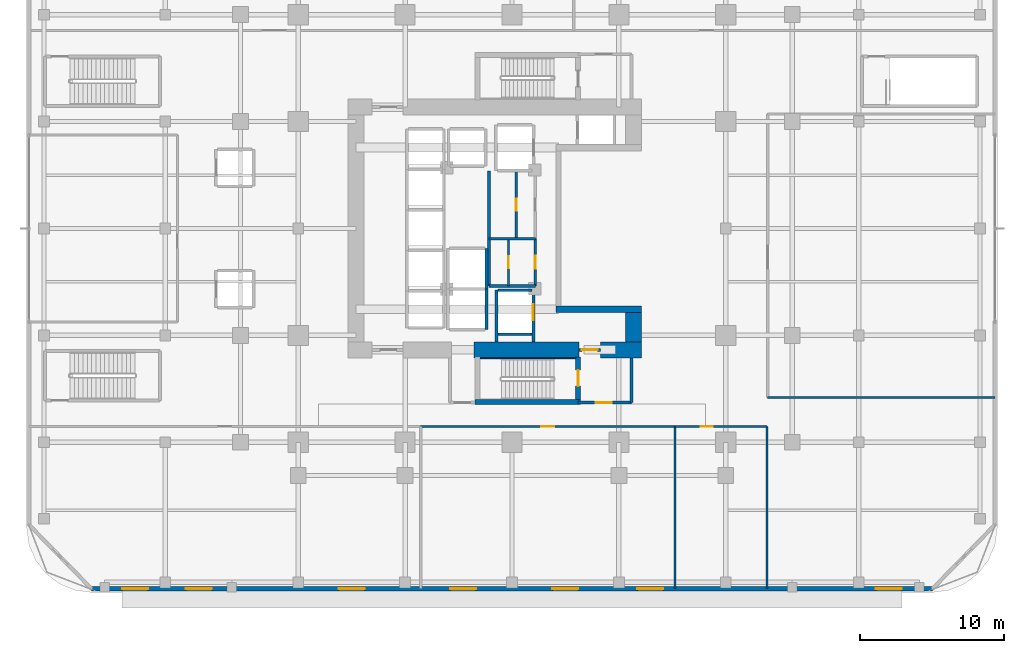
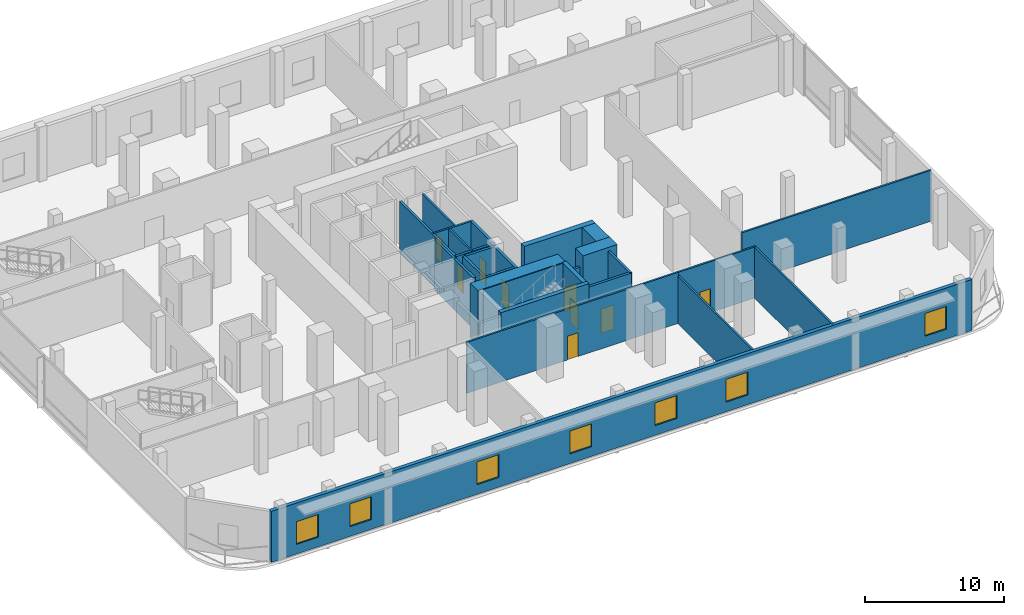
# One storey, part 9 of 19: 28 walls, 9 doors, 7 windows, 16 openings.
"""IFC4 building model written with IfcOpenShell, lengths in metres."""

from ifc_helpers import new_model, si_unit, direction, frame, frame_2d, origin, place, context, subcontext, project, spatial, rectangle, extrude, material, layer, layer_set, type_object, element, fill, save


model = new_model("IFC4")

# Units and contexts
model_context = context("Model", 3, precision=1e-05, world=origin(), true_north=direction((0.0, 1.0)))
body_context = subcontext(model_context, "Body", "Model", "MODEL_VIEW")
ifc_project = project(units=[si_unit("LENGTHUNIT", "METRE"), si_unit("AREAUNIT", "SQUARE_METRE"), si_unit("VOLUMEUNIT", "CUBIC_METRE"), si_unit("PLANEANGLEUNIT", "RADIAN"), si_unit("MASSUNIT", "GRAM", prefix="KILO")], contexts=[model_context])

# Site, building, storey
site_placement = place(None, origin())
site = spatial("IfcSite", under=ifc_project, at=site_placement, CompositionType="ELEMENT")
building_placement = place(site_placement, origin())
building = spatial("IfcBuilding", under=site, at=building_placement, Name="Khorvyn Point Tower", CompositionType="ELEMENT")
storey_placement = place(building_placement, frame((0.0, 0.0, 21.60009765625)))
storey = spatial("IfcBuildingStorey", under=building, at=storey_placement, Name="L06", CompositionType="ELEMENT", Elevation=21.60009765625)

# Wall
ifc_material_1 = material(Name="Concrete C40/50", Category="concrete")
ifc_layer_1 = layer(ifc_material_1, 0.449951171875)
ifc_layer_set_1 = layer_set([ifc_layer_1], Name="Concrete C40/50 Core Shear Wall 450")
wall_type_1 = type_object("IfcWallType", Name="Concrete C40/50 Core Shear Wall 450", PredefinedType="SHEAR", material=ifc_layer_set_1)
wall_1_placement = place(storey_placement, frame((3.044921875, -5.60009765625, 0.0), z_axis=(0.0, 0.0, 1.0), x_axis=(1.0, 0.0, 0.0)))
element("IfcWall", 1, at=wall_1_placement, inside=storey, type_object=wall_type_1, Name="Wall", PredefinedType="SHEAR", context=body_context, shape_type="SweptSolid", body=[
    extrude(rectangle(XDim=5.905029296875, YDim=0.449951171875, at=frame_2d((2.95263671875, 0.0))), origin(), (0.0, 0.0, 1.0), 4.7998046875),
])

# Wall, opening, door
ifc_layer_2 = layer(ifc_material_1, 0.199951171875)
ifc_layer_set_2 = layer_set([ifc_layer_2], Name="Concrete C40/50 Fire-Lobby Compartment Wall 200")
wall_type_2 = type_object("IfcWallType", Name="Concrete C40/50 Fire-Lobby Compartment Wall 200", PredefinedType="SOLIDWALL", material=ifc_layer_set_2)
wall_2_placement = place(storey_placement, frame((4.580078125, -12.06005859375, 0.0), z_axis=(0.0, 0.0, 1.0), x_axis=(1.0, 0.0, 0.0)))
wall_2 = element("IfcWall", 2, at=wall_2_placement, inside=storey, type_object=wall_type_2, Name="Wall", PredefinedType="SOLIDWALL", context=body_context, shape_type="SweptSolid", body=[
    extrude(rectangle(XDim=3.699951171875, YDim=0.199951171875, at=frame_2d((1.85009765625, 0.0))), origin(), (0.0, 0.0, 1.0), 4.47998046875),
])
opening_1_placement = place(wall_2_placement, frame((1.21240234375, 0.0, 0.0)))
opening_1 = element("IfcOpeningElement", 3, at=opening_1_placement, cuts=wall_2, Name="Opening ID-FL90", PredefinedType="OPENING", context=body_context, shape_type="SweptSolid", body=[
    extrude(rectangle(XDim=1.10009765625, YDim=2.14990234375, at=frame_2d((0.550048828125, 1.074951171875))), frame((0.0, 0.10986328125, 0.0), z_axis=(0.0, -1.0, 0.0), x_axis=(1.0, 0.0, 0.0)), (0.0, 0.0, 1.0), 0.219970703125),
])
ifc_material_2 = material(Name="Galvanised powder-coated steel", Category="steel")
door_type_1 = type_object("IfcDoorType", Name="Fire-Rated Steel Lobby and Stair Door 1100x2150", OperationType="NOTDEFINED", PredefinedType="DOOR", material=ifc_material_2)
door_1_placement = place(opening_1_placement, origin())
door_1 = element("IfcDoor", 4, at=door_1_placement, inside=storey, type_object=door_type_1, Name="Door", OperationType="SINGLE_SWING_RIGHT", OverallHeight=2.14990234375, OverallWidth=1.10009765625, PredefinedType="DOOR", context=body_context, shape_type="SweptSolid", body=[
    extrude(rectangle(XDim=1.10009765625, YDim=2.14990234375, at=frame_2d((0.550048828125, 1.074951171875))), frame((0.0, 0.02490234375, 0.0), z_axis=(0.0, -1.0, 0.0), x_axis=(1.0, 0.0, 0.0)), (0.0, 0.0, 1.0), 0.050048828125),
])
fill(opening_1, door_1)

wall_3_placement = place(storey_placement, frame((4.64990234375, -8.39990234375, 0.0), z_axis=(0.0, 0.0, 1.0), x_axis=(1.0, 0.0, 0.0)))
wall_3 = element("IfcWall", 5, at=wall_3_placement, inside=storey, type_object=wall_type_2, Name="Wall", PredefinedType="SOLIDWALL", context=body_context, shape_type="SweptSolid", body=[
    extrude(rectangle(XDim=1.47021484375, YDim=0.199951171875, at=frame_2d((0.735107421875, 0.0))), origin(), (0.0, 0.0, 1.0), 3.52001953125),
])
opening_2_placement = place(wall_3_placement, frame((0.18505859375, 0.0, 0.0)))
opening_2 = element("IfcOpeningElement", 6, at=opening_2_placement, cuts=wall_3, Name="Opening ID-FL90", PredefinedType="OPENING", context=body_context, shape_type="SweptSolid", body=[
    extrude(rectangle(XDim=1.10009765625, YDim=2.14990234375, at=frame_2d((0.550048828125, 1.074951171875))), frame((0.0, 0.10986328125, 0.0), z_axis=(0.0, -1.0, 0.0), x_axis=(1.0, 0.0, 0.0)), (0.0, 0.0, 1.0), 0.219970703125),
])
door_2_placement = place(opening_2_placement, origin())
door_2 = element("IfcDoor", 7, at=door_2_placement, inside=storey, type_object=door_type_1, Name="Door", OperationType="SINGLE_SWING_LEFT", OverallHeight=2.14990234375, OverallWidth=1.10009765625, PredefinedType="DOOR", context=body_context, shape_type="SweptSolid", body=[
    extrude(rectangle(XDim=1.10009765625, YDim=2.14990234375, at=frame_2d((0.550048828125, 1.074951171875))), frame((0.0, 0.02490234375, 0.0), z_axis=(0.0, -1.0, 0.0), x_axis=(1.0, 0.0, 0.0)), (0.0, 0.0, 1.0), 0.050048828125),
])
fill(opening_2, door_2)

wall_4_placement = place(storey_placement, frame((1.610107421875, -3.97998046875, 0.0), z_axis=(0.0, 0.0, 1.0), x_axis=(0.0, 1.0, 0.0)))
wall_4 = element("IfcWall", 8, at=wall_4_placement, inside=storey, type_object=wall_type_2, Name="Wall", PredefinedType="SOLIDWALL", context=body_context, shape_type="SweptSolid", body=[
    extrude(rectangle(XDim=3.27392578125, YDim=0.199951171875, at=frame_2d((1.636962890625, 0.0))), origin(), (0.0, 0.0, 1.0), 4.47998046875),
])
opening_3_placement = place(wall_4_placement, frame((1.177001953125, 0.0, 0.0)))
opening_3 = element("IfcOpeningElement", 9, at=opening_3_placement, cuts=wall_4, Name="Opening ID-RS60", PredefinedType="OPENING", context=body_context, shape_type="SweptSolid", body=[
    extrude(rectangle(XDim=0.919921875, YDim=2.10009765625, at=frame_2d((0.4599609375, 1.050048828125))), frame((0.0, 0.10986328125, 0.0), z_axis=(0.0, -1.0, 0.0), x_axis=(1.0, 0.0, 0.0)), (0.0, 0.0, 1.0), 0.219970703125),
])
door_type_2 = type_object("IfcDoorType", Name="Fire-Rated Riser and Store Steel Door 920x2100", OperationType="NOTDEFINED", PredefinedType="DOOR", material=ifc_material_2)
door_3_placement = place(opening_3_placement, origin())
door_3 = element("IfcDoor", 10, at=door_3_placement, inside=storey, type_object=door_type_2, Name="Door", OperationType="SINGLE_SWING_RIGHT", OverallHeight=2.10009765625, OverallWidth=0.919921875, PredefinedType="DOOR", context=body_context, shape_type="SweptSolid", body=[
    extrude(rectangle(XDim=0.919921875, YDim=2.10009765625, at=frame_2d((0.4599609375, 1.050048828125))), frame((0.0, 0.02490234375, 0.0), z_axis=(0.0, -1.0, 0.0), x_axis=(1.0, 0.0, 0.0)), (0.0, 0.0, 1.0), 0.050048828125),
])
fill(opening_3, door_3)

# Walls
wall_5_placement = place(storey_placement, frame((8.280029296875, -12.06005859375, 0.0), z_axis=(0.0, 0.0, 1.0), x_axis=(0.0, 1.0, 0.0)))
element("IfcWall", 11, at=wall_5_placement, inside=storey, type_object=wall_type_2, Name="Wall", PredefinedType="SOLIDWALL", context=body_context, shape_type="SweptSolid", body=[
    extrude(rectangle(XDim=3.110107421875, YDim=0.199951171875, at=frame_2d((1.55517578125, 0.0))), origin(), (0.0, 0.0, 1.0), 4.47998046875),
])
wall_6_placement = place(storey_placement, frame((-1.580078125, -3.97998046875, 0.0), z_axis=(0.0, 0.0, 1.0), x_axis=(0.0, 1.0, 0.0)))
element("IfcWall", 12, at=wall_6_placement, inside=storey, type_object=wall_type_2, Name="Wall", PredefinedType="SOLIDWALL", context=body_context, shape_type="SweptSolid", body=[
    extrude(rectangle(XDim=7.9599609375, YDim=0.199951171875, at=frame_2d((3.97998046875, 0.0))), origin(), (0.0, 0.0, 1.0), 4.47998046875),
])
wall_7_placement = place(storey_placement, frame((-1.580078125, -3.97998046875, 0.0), z_axis=(0.0, 0.0, 1.0), x_axis=(1.0, 0.0, 0.0)))
element("IfcWall", 13, at=wall_7_placement, inside=storey, type_object=wall_type_2, Name="Wall", PredefinedType="SOLIDWALL", context=body_context, shape_type="SweptSolid", body=[
    extrude(rectangle(XDim=3.190185546875, YDim=0.199951171875, at=frame_2d((1.59521484375, 0.0))), origin(), (0.0, 0.0, 1.0), 4.47998046875),
])
ifc_layer_3 = layer(ifc_material_1, 0.25)
ifc_layer_set_3 = layer_set([ifc_layer_3], Name="Concrete C40/50 Stair Inner Cheek Structural Wall 250")
wall_type_3 = type_object("IfcWallType", Name="Concrete C40/50 Stair Inner Cheek Structural Wall 250", PredefinedType="SHEAR", material=ifc_layer_set_3)
wall_8_placement = place(storey_placement, frame((-2.199951171875, -8.987548828125, 0.0), z_axis=(0.0, 0.0, 1.0), x_axis=(1.0, 0.0, 0.0)))
element("IfcWall", 14, at=wall_8_placement, inside=storey, type_object=wall_type_3, Name="Wall", PredefinedType="SHEAR", context=body_context, shape_type="SweptSolid", body=[
    extrude(rectangle(XDim=6.599853515625, YDim=0.074951171875, at=frame_2d((3.2998046875, 0.0))), origin(), (0.0, 0.0, 1.0), 4.7998046875),
])
ifc_layer_4 = layer(ifc_material_1, 0.35009765625)
ifc_layer_set_4 = layer_set([ifc_layer_4], Name="Concrete C40/50 Stair Shaft Structural Wall 350")
wall_type_4 = type_object("IfcWallType", Name="Concrete C40/50 Stair Shaft Structural Wall 350", PredefinedType="SHEAR", material=ifc_layer_set_4)
wall_9_placement = place(storey_placement, frame((-2.554931640625, -12.0, 0.0), z_axis=(0.0, 0.0, 1.0), x_axis=(1.0, 0.0, 0.0)))
element("IfcWall", 15, at=wall_9_placement, inside=storey, type_object=wall_type_4, Name="L06 ST-01 South Shaft Wall", PredefinedType="SHEAR", context=body_context, shape_type="SweptSolid", body=[
    extrude(rectangle(XDim=7.309814453125, YDim=0.35009765625, at=frame_2d((3.65478515625, 0.0))), origin(), (0.0, 0.0, 1.0), 4.7998046875),
])

# Wall, opening, door
wall_10_placement = place(storey_placement, frame((4.580078125, -8.89990234375, 0.0), z_axis=(0.0, 0.0, 1.0), x_axis=(0.0, -1.0, 0.0)))
wall_10 = element("IfcWall", 16, at=wall_10_placement, inside=storey, type_object=wall_type_4, Name="L06 ST-01 East Landing Door Wall", PredefinedType="SHEAR", context=body_context, shape_type="SweptSolid", body=[
    extrude(rectangle(XDim=2.925048828125, YDim=0.35009765625, at=frame_2d((1.46240234375, 0.0))), origin(), (0.0, 0.0, 1.0), 4.7998046875),
])
opening_4_placement = place(wall_10_placement, frame((0.91259765625, 0.0, 0.0)))
opening_4 = element("IfcOpeningElement", 17, at=opening_4_placement, cuts=wall_10, Name="Opening ID-FL90", PredefinedType="OPENING", context=body_context, shape_type="SweptSolid", body=[
    extrude(rectangle(XDim=1.10009765625, YDim=2.14990234375, at=frame_2d((0.550048828125, 1.074951171875))), frame((0.0, 0.18505859375, 0.0), z_axis=(0.0, -1.0, 0.0), x_axis=(1.0, 0.0, 0.0)), (0.0, 0.0, 1.0), 0.3701171875),
])
door_4_placement = place(opening_4_placement, origin())
door_4 = element("IfcDoor", 18, at=door_4_placement, inside=storey, type_object=door_type_1, Name="L06 ST-01 Smokeproof Landing Door", OperationType="SINGLE_SWING_RIGHT", OverallHeight=2.14990234375, OverallWidth=1.10009765625, PredefinedType="DOOR", context=body_context, shape_type="SweptSolid", body=[
    extrude(rectangle(XDim=1.10009765625, YDim=2.14990234375, at=frame_2d((0.550048828125, 1.074951171875))), frame((0.0, 0.02490234375, 0.0), z_axis=(0.0, -1.0, 0.0), x_axis=(1.0, 0.0, 0.0)), (0.0, 0.0, 1.0), 0.050048828125),
])
fill(opening_4, door_4)

# Walls
ifc_layer_5 = layer(ifc_material_1, 0.199951171875)
ifc_layer_set_5 = layer_set([ifc_layer_5], Name="Concrete C40/50 Structural Hoistway and Stair Shaft Wall 200")
wall_type_5 = type_object("IfcWallType", Name="Concrete C40/50 Structural Hoistway and Stair Shaft Wall 200", PredefinedType="SHEAR", material=ifc_layer_set_5)
for number, where, z_axis, x_axis, name in (
    (19, (-1.77490234375, -7.0, 0.0), (0.0, 0.0, 1.0), (0.0, 1.0, 0.0), "Wall"),
    (20, (-1.77490234375, -4.199951171875, 0.0), (0.0, 0.0, 1.0), (0.0, 1.0, 0.0), "Wall"),
):
    element("IfcWall", number, at=place(storey_placement, frame(where, z_axis=z_axis, x_axis=x_axis)), inside=storey, type_object=wall_type_5, Name=name, PredefinedType="SHEAR", context=body_context, shape_type="SweptSolid", body=[
        extrude(rectangle(XDim=2.800048828125, YDim=0.199951171875, at=frame_2d((1.39990234375, 0.0))), origin(), (0.0, 0.0, 1.0), 4.47998046875),
    ])
wall_11_placement = place(storey_placement, frame((-1.074951171875, -7.85009765625, 0.0), z_axis=(0.0, 0.0, 1.0), x_axis=(0.0, 1.0, 0.0)))
element("IfcWall", 21, at=wall_11_placement, inside=storey, type_object=wall_type_5, Name="Wall", PredefinedType="SHEAR", context=body_context, shape_type="SweptSolid", body=[
    extrude(rectangle(XDim=3.5751953125, YDim=0.199951171875, at=frame_2d((1.78759765625, 0.0))), origin(), (0.0, 0.0, 1.0), 4.47998046875),
])

# Wall, opening, door
wall_12_placement = place(storey_placement, frame((1.47509765625, -7.85009765625, 0.0), z_axis=(0.0, 0.0, 1.0), x_axis=(0.0, 1.0, 0.0)))
wall_12 = element("IfcWall", 22, at=wall_12_placement, inside=storey, type_object=wall_type_5, Name="Wall", PredefinedType="SHEAR", context=body_context, shape_type="SweptSolid", body=[
    extrude(rectangle(XDim=3.5751953125, YDim=0.199951171875, at=frame_2d((1.78759765625, 0.0))), origin(), (0.0, 0.0, 1.0), 4.47998046875),
])
opening_5_placement = place(wall_12_placement, frame((1.5, 0.0, 0.0)))
opening_5 = element("IfcOpeningElement", 23, at=opening_5_placement, cuts=wall_12, Name="Opening LD-1122", PredefinedType="OPENING", context=body_context, shape_type="SweptSolid", body=[
    extrude(rectangle(XDim=1.10009765625, YDim=2.199951171875, at=frame_2d((0.550048828125, 1.10009765625))), frame((0.0, 0.10986328125, 0.0), z_axis=(0.0, -1.0, 0.0), x_axis=(1.0, 0.0, 0.0)), (0.0, 0.0, 1.0), 0.219970703125),
])
ifc_material_3 = material(Name="Stainless steel 1.4301", Category="steel")
door_type_3 = type_object("IfcDoorType", Name="Stainless Steel Automatic Sliding Lift Landing Door 1100x2200", OperationType="SLIDING_TO_LEFT", PredefinedType="DOOR", material=ifc_material_3)
door_5_placement = place(opening_5_placement, origin())
door_5 = element("IfcDoor", 24, at=door_5_placement, inside=storey, type_object=door_type_3, Name="L06 FF-01 Sliding Lift Landing Door", OperationType="SLIDING_TO_LEFT", OverallHeight=2.199951171875, OverallWidth=1.10009765625, PredefinedType="DOOR", context=body_context, shape_type="SweptSolid", body=[
    extrude(rectangle(XDim=1.10009765625, YDim=2.199951171875, at=frame_2d((0.550048828125, 1.10009765625))), frame((0.0, 0.02490234375, 0.0), z_axis=(0.0, -1.0, 0.0), x_axis=(1.0, 0.0, 0.0)), (0.0, 0.0, 1.0), 0.050048828125),
])
fill(opening_5, door_5)

# Walls
for number, where, z_axis, x_axis, name in (
    (25, (-0.97509765625, -7.324951171875, 0.0), (0.0, 0.0, 1.0), (1.0, 0.0, 0.0), "Wall"),
    (26, (-0.97509765625, -4.27490234375, 0.0), (0.0, 0.0, 1.0), (1.0, 0.0, 0.0), "Wall"),
):
    element("IfcWall", number, at=place(storey_placement, frame(where, z_axis=z_axis, x_axis=x_axis)), inside=storey, type_object=wall_type_5, Name=name, PredefinedType="SHEAR", context=body_context, shape_type="SweptSolid", body=[
        extrude(rectangle(XDim=2.35009765625, YDim=0.199951171875, at=frame_2d((1.175048828125, 0.0))), origin(), (0.0, 0.0, 1.0), 4.47998046875),
    ])
ifc_material_4 = material(Name="Concrete C50/60", Category="concrete")
ifc_layer_6 = layer(ifc_material_4, 1.10009765625)
ifc_layer_set_6 = layer_set([ifc_layer_6], Name="Concrete C50/60 Core Shear Wall 1100")
wall_type_6 = type_object("IfcWallType", Name="Concrete C50/60 Core Shear Wall 1100", PredefinedType="SHEAR", material=ifc_layer_set_6)
wall_13_placement = place(storey_placement, frame((-2.6201171875, -8.39990234375, 0.0), z_axis=(0.0, 0.0, 1.0), x_axis=(1.0, 0.0, 0.0)))
element("IfcWall", 27, at=wall_13_placement, inside=storey, type_object=wall_type_6, Name="Wall", PredefinedType="SHEAR", context=body_context, shape_type="SweptSolid", body=[
    extrude(rectangle(XDim=7.27001953125, YDim=1.10009765625, at=frame_2d((3.635009765625, 0.0))), origin(), (0.0, 0.0, 1.0), 4.7998046875),
])
wall_14_placement = place(storey_placement, frame((6.1201171875, -8.39990234375, 0.0), z_axis=(0.0, 0.0, 1.0), x_axis=(1.0, 0.0, 0.0)))
element("IfcWall", 28, at=wall_14_placement, inside=storey, type_object=wall_type_6, Name="Wall", PredefinedType="SHEAR", context=body_context, shape_type="SweptSolid", body=[
    extrude(rectangle(XDim=2.829833984375, YDim=1.10009765625, at=frame_2d((1.4150390625, 0.0))), origin(), (0.0, 0.0, 1.0), 4.7998046875),
])
wall_15_placement = place(storey_placement, frame((8.39990234375, -7.85009765625, 0.0), z_axis=(0.0, 0.0, 1.0), x_axis=(0.0, 1.0, 0.0)))
element("IfcWall", 29, at=wall_15_placement, inside=storey, type_object=wall_type_6, Name="Wall", PredefinedType="SHEAR", context=body_context, shape_type="SweptSolid", body=[
    extrude(rectangle(XDim=2.025146484375, YDim=1.10009765625, at=frame_2d((1.0126953125, 0.0))), origin(), (0.0, 0.0, 1.0), 4.7998046875),
])

# Wall, opening, door
ifc_material_5 = material(Name="Moisture-resistant gypsum and cement board", Category="gypsum")
ifc_layer_7 = layer(ifc_material_5, 0.14990234375)
ifc_layer_set_7 = layer_set([ifc_layer_7], Name="Moisture-Resistant Wet-Room Partition Wall 150")
wall_type_7 = type_object("IfcWallType", Name="Moisture-Resistant Wet-Room Partition Wall 150", PredefinedType="PARTITIONING", material=ifc_layer_set_7)
wall_16_placement = place(storey_placement, frame((-0.25, -3.97998046875, 0.0), z_axis=(0.0, 0.0, 1.0), x_axis=(0.0, 1.0, 0.0)))
wall_16 = element("IfcWall", 30, at=wall_16_placement, inside=storey, type_object=wall_type_7, Name="Wall", PredefinedType="PARTITIONING", context=body_context, shape_type="SweptSolid", body=[
    extrude(rectangle(XDim=3.27392578125, YDim=0.14990234375, at=frame_2d((1.636962890625, 0.0))), origin(), (0.0, 0.0, 1.0), 4.47998046875),
])
opening_6_placement = place(wall_16_placement, frame((1.2119140625, 0.0, 0.0)))
opening_6 = element("IfcOpeningElement", 31, at=opening_6_placement, cuts=wall_16, Name="Opening ID-WC85", PredefinedType="OPENING", context=body_context, shape_type="SweptSolid", body=[
    extrude(rectangle(XDim=0.85009765625, YDim=2.10009765625, at=frame_2d((0.425048828125, 1.050048828125))), frame((0.0, 0.0849609375, 0.0), z_axis=(0.0, -1.0, 0.0), x_axis=(1.0, 0.0, 0.0)), (0.0, 0.0, 1.0), 0.169921875),
])
ifc_material_6 = material(Name="High-pressure laminate on moisture-resistant core", Category="wood")
door_type_4 = type_object("IfcDoorType", Name="Moisture-Resistant Accessible Washroom Door 850x2100", OperationType="NOTDEFINED", PredefinedType="DOOR", material=ifc_material_6)
door_6_placement = place(opening_6_placement, origin())
door_6 = element("IfcDoor", 32, at=door_6_placement, inside=storey, type_object=door_type_4, Name="Door", OperationType="SINGLE_SWING_RIGHT", OverallHeight=2.10009765625, OverallWidth=0.85009765625, PredefinedType="DOOR", context=body_context, shape_type="SweptSolid", body=[
    extrude(rectangle(XDim=0.85009765625, YDim=2.10009765625, at=frame_2d((0.425048828125, 1.050048828125))), frame((0.0, 0.02490234375, 0.0), z_axis=(0.0, -1.0, 0.0), x_axis=(1.0, 0.0, 0.0)), (0.0, 0.0, 1.0), 0.050048828125),
])
fill(opening_6, door_6)

wall_17_placement = place(storey_placement, frame((0.2900390625, -0.7060546875, 0.0), z_axis=(0.0, 0.0, 1.0), x_axis=(0.0, 1.0, 0.0)))
wall_17 = element("IfcWall", 33, at=wall_17_placement, inside=storey, type_object=wall_type_7, Name="Wall", PredefinedType="PARTITIONING", context=body_context, shape_type="SweptSolid", body=[
    extrude(rectangle(XDim=4.68603515625, YDim=0.14990234375, at=frame_2d((2.343017578125, 0.0))), origin(), (0.0, 0.0, 1.0), 4.47998046875),
])
opening_7_placement = place(wall_17_placement, frame((1.91796875, 0.0, 0.0)))
opening_7 = element("IfcOpeningElement", 34, at=opening_7_placement, cuts=wall_17, Name="Opening ID-WC85", PredefinedType="OPENING", context=body_context, shape_type="SweptSolid", body=[
    extrude(rectangle(XDim=0.85009765625, YDim=2.10009765625, at=frame_2d((0.425048828125, 1.050048828125))), frame((0.0, 0.0849609375, 0.0), z_axis=(0.0, -1.0, 0.0), x_axis=(1.0, 0.0, 0.0)), (0.0, 0.0, 1.0), 0.169921875),
])
door_7_placement = place(opening_7_placement, origin())
door_7 = element("IfcDoor", 35, at=door_7_placement, inside=storey, type_object=door_type_4, Name="Door", OperationType="SINGLE_SWING_LEFT", OverallHeight=2.10009765625, OverallWidth=0.85009765625, PredefinedType="DOOR", context=body_context, shape_type="SweptSolid", body=[
    extrude(rectangle(XDim=0.85009765625, YDim=2.10009765625, at=frame_2d((0.425048828125, 1.050048828125))), frame((0.0, 0.02490234375, 0.0), z_axis=(0.0, -1.0, 0.0), x_axis=(1.0, 0.0, 0.0)), (0.0, 0.0, 1.0), 0.050048828125),
])
fill(opening_7, door_7)

wall_18_placement = place(storey_placement, frame((-6.320068359375, -13.699951171875, 0.0), z_axis=(0.0, 0.0, 1.0), x_axis=(1.0, 0.0, 0.0)))
wall_18 = element("IfcWall", 36, at=wall_18_placement, inside=storey, type_object=wall_type_7, Name="Wall", PredefinedType="PARTITIONING", context=body_context, shape_type="SweptSolid", body=[
    extrude(rectangle(XDim=17.60009765625, YDim=0.14990234375, at=frame_2d((8.800048828125, 0.0))), origin(), (0.0, 0.0, 1.0), 4.47998046875),
])
opening_8_placement = place(wall_18_placement, frame((8.35009765625, 0.0, 0.0)))
opening_8 = element("IfcOpeningElement", 37, at=opening_8_placement, cuts=wall_18, Name="Opening ID-RM90", PredefinedType="OPENING", context=body_context, shape_type="SweptSolid", body=[
    extrude(rectangle(XDim=0.89990234375, YDim=2.10009765625, at=frame_2d((0.449951171875, 1.050048828125))), frame((0.0, 0.0849609375, 0.0), z_axis=(0.0, -1.0, 0.0), x_axis=(1.0, 0.0, 0.0)), (0.0, 0.0, 1.0), 0.169921875),
])
ifc_material_7 = material(Name="Engineered oak veneer timber", Category="wood")
door_type_5 = type_object("IfcDoorType", Name="Flush Engineered Timber Room Door 900x2100", OperationType="NOTDEFINED", PredefinedType="DOOR", material=ifc_material_7)
door_8_placement = place(opening_8_placement, origin())
door_8 = element("IfcDoor", 38, at=door_8_placement, inside=storey, type_object=door_type_5, Name="Door", OperationType="SINGLE_SWING_LEFT", OverallHeight=2.10009765625, OverallWidth=0.89990234375, PredefinedType="DOOR", context=body_context, shape_type="SweptSolid", body=[
    extrude(rectangle(XDim=0.89990234375, YDim=2.10009765625, at=frame_2d((0.449951171875, 1.050048828125))), frame((0.0, 0.02490234375, 0.0), z_axis=(0.0, -1.0, 0.0), x_axis=(1.0, 0.0, 0.0)), (0.0, 0.0, 1.0), 0.050048828125),
])
fill(opening_8, door_8)

wall_19_placement = place(storey_placement, frame((11.280029296875, -13.699951171875, 0.0), z_axis=(0.0, 0.0, 1.0), x_axis=(1.0, 0.0, 0.0)))
wall_19 = element("IfcWall", 39, at=wall_19_placement, inside=storey, type_object=wall_type_7, Name="Wall", PredefinedType="PARTITIONING", context=body_context, shape_type="SweptSolid", body=[
    extrude(rectangle(XDim=6.369873046875, YDim=0.14990234375, at=frame_2d((3.18505859375, 0.0))), origin(), (0.0, 0.0, 1.0), 4.47998046875),
])
opening_9_placement = place(wall_19_placement, frame((1.773681640625, 0.0, 0.0)))
opening_9 = element("IfcOpeningElement", 40, at=opening_9_placement, cuts=wall_19, Name="Opening ID-WC85", PredefinedType="OPENING", context=body_context, shape_type="SweptSolid", body=[
    extrude(rectangle(XDim=0.85009765625, YDim=2.10009765625, at=frame_2d((0.425048828125, 1.050048828125))), frame((0.0, 0.0849609375, 0.0), z_axis=(0.0, -1.0, 0.0), x_axis=(1.0, 0.0, 0.0)), (0.0, 0.0, 1.0), 0.169921875),
])
door_9_placement = place(opening_9_placement, origin())
door_9 = element("IfcDoor", 41, at=door_9_placement, inside=storey, type_object=door_type_4, Name="Door", OperationType="SINGLE_SWING_RIGHT", OverallHeight=2.10009765625, OverallWidth=0.85009765625, PredefinedType="DOOR", context=body_context, shape_type="SweptSolid", body=[
    extrude(rectangle(XDim=0.85009765625, YDim=2.10009765625, at=frame_2d((0.425048828125, 1.050048828125))), frame((0.0, 0.02490234375, 0.0), z_axis=(0.0, -1.0, 0.0), x_axis=(1.0, 0.0, 0.0)), (0.0, 0.0, 1.0), 0.050048828125),
])
fill(opening_9, door_9)

# Walls
wall_20_placement = place(storey_placement, frame((-1.580078125, -0.7060546875, 0.0), z_axis=(0.0, 0.0, 1.0), x_axis=(1.0, 0.0, 0.0)))
element("IfcWall", 42, at=wall_20_placement, inside=storey, type_object=wall_type_7, Name="Wall", PredefinedType="PARTITIONING", context=body_context, shape_type="SweptSolid", body=[
    extrude(rectangle(XDim=3.190185546875, YDim=0.14990234375, at=frame_2d((1.59521484375, 0.0))), origin(), (0.0, 0.0, 1.0), 4.47998046875),
])
wall_21_placement = place(storey_placement, frame((17.699951171875, -11.699951171875, 0.0), z_axis=(0.0, 0.0, 1.0), x_axis=(1.0, 0.0, 0.0)))
element("IfcWall", 43, at=wall_21_placement, inside=storey, type_object=wall_type_7, Name="Wall", PredefinedType="PARTITIONING", context=body_context, shape_type="SweptSolid", body=[
    extrude(rectangle(XDim=15.719970703125, YDim=0.14990234375, at=frame_2d((7.85986328125, 0.0))), origin(), (0.0, 0.0, 1.0), 4.47998046875),
])
wall_22_placement = place(storey_placement, frame((11.280029296875, -24.919921875, 0.0), z_axis=(0.0, 0.0, 1.0), x_axis=(0.0, 1.0, 0.0)))
element("IfcWall", 44, at=wall_22_placement, inside=storey, type_object=wall_type_7, Name="Wall", PredefinedType="PARTITIONING", context=body_context, shape_type="SweptSolid", body=[
    extrude(rectangle(XDim=11.219970703125, YDim=0.14990234375, at=frame_2d((5.60986328125, 0.0))), origin(), (0.0, 0.0, 1.0), 4.169921875),
])
wall_23_placement = place(storey_placement, frame((17.64990234375, -24.919921875, 0.0), z_axis=(0.0, 0.0, 1.0), x_axis=(0.0, 1.0, 0.0)))
element("IfcWall", 45, at=wall_23_placement, inside=storey, type_object=wall_type_7, Name="Wall", PredefinedType="PARTITIONING", context=body_context, shape_type="SweptSolid", body=[
    extrude(rectangle(XDim=11.219970703125, YDim=0.14990234375, at=frame_2d((5.60986328125, 0.0))), origin(), (0.0, 0.0, 1.0), 4.47998046875),
])

# Wall, openings, windows
ifc_material_8 = material(Name="Precast concrete C35/45", Category="concrete")
ifc_layer_8 = layer(ifc_material_8, 0.300048828125)
ifc_layer_set_8 = layer_set([ifc_layer_8], Name="Precast Concrete C35/45 Insulated Podium Facade Wall 300")
wall_type_8 = type_object("IfcWallType", Name="Precast Concrete C35/45 Insulated Podium Facade Wall 300", PredefinedType="SOLIDWALL", material=ifc_layer_set_8)
wall_24_placement = place(storey_placement, frame((29.10009765625, -24.949951171875, 0.0), z_axis=(0.0, 0.0, 1.0), x_axis=(-1.0, 0.0, 0.0)))
wall_24 = element("IfcWall", 46, at=wall_24_placement, inside=storey, type_object=wall_type_8, Name="L06 South Podium Facade Wall", PredefinedType="SOLIDWALL", context=body_context, shape_type="SweptSolid", body=[
    extrude(rectangle(XDim=58.2001953125, YDim=0.300048828125, at=frame_2d((29.10009765625, 0.0))), origin(), (0.0, 0.0, 1.0), 4.47998046875),
])
opening_10_placement = place(wall_24_placement, frame((54.287109375, 0.0, 0.85009765625)))
opening_10 = element("IfcOpeningElement", 47, at=opening_10_placement, cuts=wall_24, Name="Opening WN-1820", PredefinedType="OPENING", context=body_context, shape_type="SweptSolid", body=[
    extrude(rectangle(XDim=1.800048828125, YDim=2.0, at=frame_2d((0.89990234375, 1.0))), frame((0.0, 0.159912109375, 0.0), z_axis=(0.0, -1.0, 0.0), x_axis=(1.0, 0.0, 0.0)), (0.0, 0.0, 1.0), 0.320068359375),
])
opening_11_placement = place(wall_24_placement, frame((49.875, 0.0, 0.85009765625)))
opening_11 = element("IfcOpeningElement", 48, at=opening_11_placement, cuts=wall_24, Name="Opening WN-1820", PredefinedType="OPENING", context=body_context, shape_type="SweptSolid", body=[
    extrude(rectangle(XDim=1.800048828125, YDim=2.0, at=frame_2d((0.89990234375, 1.0))), frame((0.0, 0.159912109375, 0.0), z_axis=(0.0, -1.0, 0.0), x_axis=(1.0, 0.0, 0.0)), (0.0, 0.0, 1.0), 0.320068359375),
])
opening_12_placement = place(wall_24_placement, frame((39.300048828125, 0.0, 0.85009765625)))
opening_12 = element("IfcOpeningElement", 49, at=opening_12_placement, cuts=wall_24, Name="Opening WN-1820", PredefinedType="OPENING", context=body_context, shape_type="SweptSolid", body=[
    extrude(rectangle(XDim=1.800048828125, YDim=2.0, at=frame_2d((0.89990234375, 1.0))), frame((0.0, 0.159912109375, 0.0), z_axis=(0.0, -1.0, 0.0), x_axis=(1.0, 0.0, 0.0)), (0.0, 0.0, 1.0), 0.320068359375),
])
opening_13_placement = place(wall_24_placement, frame((31.5849609375, 0.0, 0.85009765625)))
opening_13 = element("IfcOpeningElement", 50, at=opening_13_placement, cuts=wall_24, Name="Opening WN-1820", PredefinedType="OPENING", context=body_context, shape_type="SweptSolid", body=[
    extrude(rectangle(XDim=1.800048828125, YDim=2.0, at=frame_2d((0.89990234375, 1.0))), frame((0.0, 0.159912109375, 0.0), z_axis=(0.0, -1.0, 0.0), x_axis=(1.0, 0.0, 0.0)), (0.0, 0.0, 1.0), 0.320068359375),
])
opening_14_placement = place(wall_24_placement, frame((24.511962890625, 0.0, 0.85009765625)))
opening_14 = element("IfcOpeningElement", 51, at=opening_14_placement, cuts=wall_24, Name="Opening WN-1820", PredefinedType="OPENING", context=body_context, shape_type="SweptSolid", body=[
    extrude(rectangle(XDim=1.800048828125, YDim=2.0, at=frame_2d((0.89990234375, 1.0))), frame((0.0, 0.159912109375, 0.0), z_axis=(0.0, -1.0, 0.0), x_axis=(1.0, 0.0, 0.0)), (0.0, 0.0, 1.0), 0.320068359375),
])
opening_15_placement = place(wall_24_placement, frame((18.6220703125, 0.0, 0.85009765625)))
opening_15 = element("IfcOpeningElement", 52, at=opening_15_placement, cuts=wall_24, Name="Opening WN-1820", PredefinedType="OPENING", context=body_context, shape_type="SweptSolid", body=[
    extrude(rectangle(XDim=1.800048828125, YDim=2.0, at=frame_2d((0.89990234375, 1.0))), frame((0.0, 0.159912109375, 0.0), z_axis=(0.0, -1.0, 0.0), x_axis=(1.0, 0.0, 0.0)), (0.0, 0.0, 1.0), 0.320068359375),
])
opening_16_placement = place(wall_24_placement, frame((2.113037109375, 0.0, 0.85009765625)))
opening_16 = element("IfcOpeningElement", 53, at=opening_16_placement, cuts=wall_24, Name="Opening WN-1820", PredefinedType="OPENING", context=body_context, shape_type="SweptSolid", body=[
    extrude(rectangle(XDim=1.800048828125, YDim=2.0, at=frame_2d((0.89990234375, 1.0))), frame((0.0, 0.159912109375, 0.0), z_axis=(0.0, -1.0, 0.0), x_axis=(1.0, 0.0, 0.0)), (0.0, 0.0, 1.0), 0.320068359375),
])
ifc_material_9 = material(Name="Anodised aluminium 6063-T6 and laminated Low-E glass", Category="aluminium")
window_type = type_object("IfcWindowType", Name="Anodised Aluminium Podium Office Operable Window 1800x2000", PartitioningType="DOUBLE_PANEL_VERTICAL", PredefinedType="WINDOW", material=ifc_material_9)
window_1_placement = place(opening_10_placement, origin())
window_1 = element("IfcWindow", 54, at=window_1_placement, inside=storey, type_object=window_type, Name="L06 South Podium Daylight Window S1", OverallHeight=2.0, OverallWidth=1.800048828125, PartitioningType="SINGLE_PANEL", PredefinedType="WINDOW", context=body_context, shape_type="SweptSolid", body=[
    extrude(rectangle(XDim=1.800048828125, YDim=2.0, at=frame_2d((0.89990234375, 1.0))), frame((0.0, 0.030029296875, 0.0), z_axis=(0.0, -1.0, 0.0), x_axis=(1.0, 0.0, 0.0)), (0.0, 0.0, 1.0), 0.06005859375),
])
fill(opening_10, window_1)
window_2_placement = place(opening_11_placement, origin())
window_2 = element("IfcWindow", 55, at=window_2_placement, inside=storey, type_object=window_type, Name="L06 South Podium Daylight Window S2", OverallHeight=2.0, OverallWidth=1.800048828125, PartitioningType="SINGLE_PANEL", PredefinedType="WINDOW", context=body_context, shape_type="SweptSolid", body=[
    extrude(rectangle(XDim=1.800048828125, YDim=2.0, at=frame_2d((0.89990234375, 1.0))), frame((0.0, 0.030029296875, 0.0), z_axis=(0.0, -1.0, 0.0), x_axis=(1.0, 0.0, 0.0)), (0.0, 0.0, 1.0), 0.06005859375),
])
fill(opening_11, window_2)
window_3_placement = place(opening_12_placement, origin())
window_3 = element("IfcWindow", 56, at=window_3_placement, inside=storey, type_object=window_type, Name="L06 South Podium Daylight Window S3", OverallHeight=2.0, OverallWidth=1.800048828125, PartitioningType="SINGLE_PANEL", PredefinedType="WINDOW", context=body_context, shape_type="SweptSolid", body=[
    extrude(rectangle(XDim=1.800048828125, YDim=2.0, at=frame_2d((0.89990234375, 1.0))), frame((0.0, 0.030029296875, 0.0), z_axis=(0.0, -1.0, 0.0), x_axis=(1.0, 0.0, 0.0)), (0.0, 0.0, 1.0), 0.06005859375),
])
fill(opening_12, window_3)
window_4_placement = place(opening_13_placement, origin())
window_4 = element("IfcWindow", 57, at=window_4_placement, inside=storey, type_object=window_type, Name="L06 South Podium Daylight Window S4", OverallHeight=2.0, OverallWidth=1.800048828125, PartitioningType="SINGLE_PANEL", PredefinedType="WINDOW", context=body_context, shape_type="SweptSolid", body=[
    extrude(rectangle(XDim=1.800048828125, YDim=2.0, at=frame_2d((0.89990234375, 1.0))), frame((0.0, 0.030029296875, 0.0), z_axis=(0.0, -1.0, 0.0), x_axis=(1.0, 0.0, 0.0)), (0.0, 0.0, 1.0), 0.06005859375),
])
fill(opening_13, window_4)
window_5_placement = place(opening_14_placement, origin())
window_5 = element("IfcWindow", 58, at=window_5_placement, inside=storey, type_object=window_type, Name="L06 South Podium Daylight Window S5", OverallHeight=2.0, OverallWidth=1.800048828125, PartitioningType="SINGLE_PANEL", PredefinedType="WINDOW", context=body_context, shape_type="SweptSolid", body=[
    extrude(rectangle(XDim=1.800048828125, YDim=2.0, at=frame_2d((0.89990234375, 1.0))), frame((0.0, 0.030029296875, 0.0), z_axis=(0.0, -1.0, 0.0), x_axis=(1.0, 0.0, 0.0)), (0.0, 0.0, 1.0), 0.06005859375),
])
fill(opening_14, window_5)
window_6_placement = place(opening_15_placement, origin())
window_6 = element("IfcWindow", 59, at=window_6_placement, inside=storey, type_object=window_type, Name="L06 South Podium Daylight Window S6", OverallHeight=2.0, OverallWidth=1.800048828125, PartitioningType="SINGLE_PANEL", PredefinedType="WINDOW", context=body_context, shape_type="SweptSolid", body=[
    extrude(rectangle(XDim=1.800048828125, YDim=2.0, at=frame_2d((0.89990234375, 1.0))), frame((0.0, 0.030029296875, 0.0), z_axis=(0.0, -1.0, 0.0), x_axis=(1.0, 0.0, 0.0)), (0.0, 0.0, 1.0), 0.06005859375),
])
fill(opening_15, window_6)
window_7_placement = place(opening_16_placement, origin())
window_7 = element("IfcWindow", 60, at=window_7_placement, inside=storey, type_object=window_type, Name="L06 South Podium Daylight Window S7", OverallHeight=2.0, OverallWidth=1.800048828125, PartitioningType="SINGLE_PANEL", PredefinedType="WINDOW", context=body_context, shape_type="SweptSolid", body=[
    extrude(rectangle(XDim=1.800048828125, YDim=2.0, at=frame_2d((0.89990234375, 1.0))), frame((0.0, 0.030029296875, 0.0), z_axis=(0.0, -1.0, 0.0), x_axis=(1.0, 0.0, 0.0)), (0.0, 0.0, 1.0), 0.06005859375),
])
fill(opening_16, window_7)

save(model, "model.ifc")
